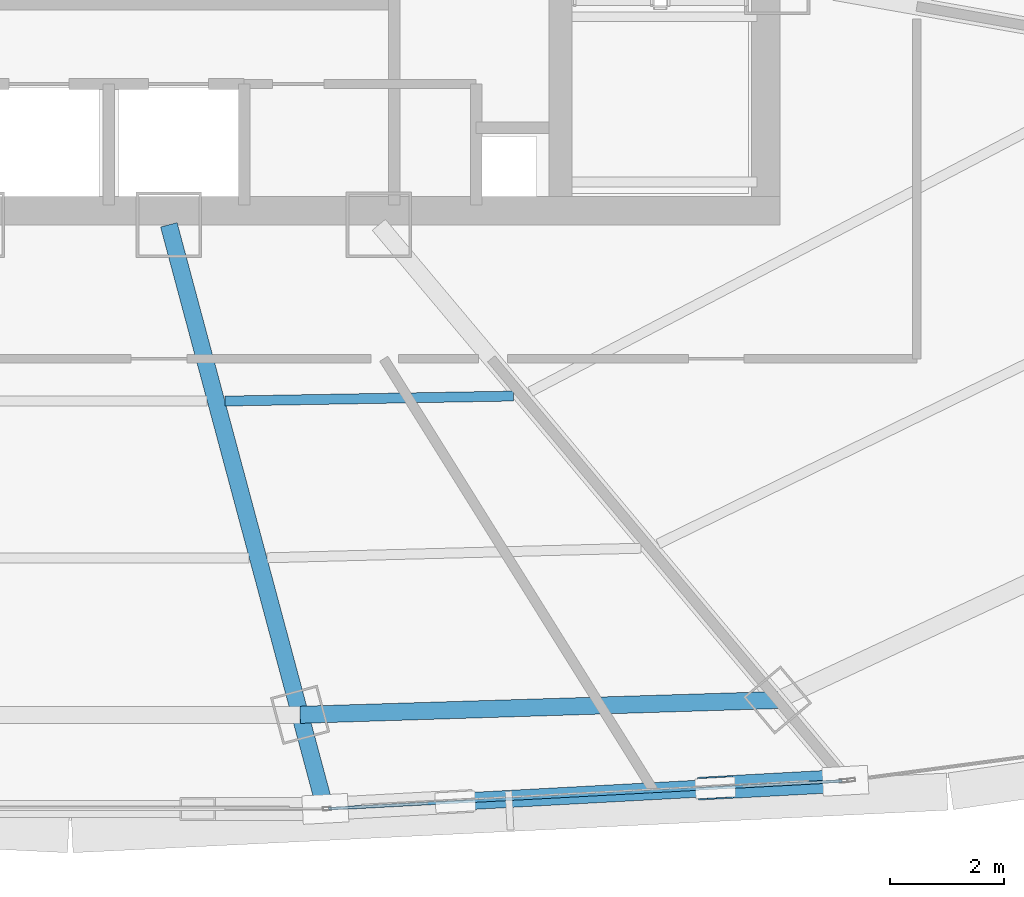
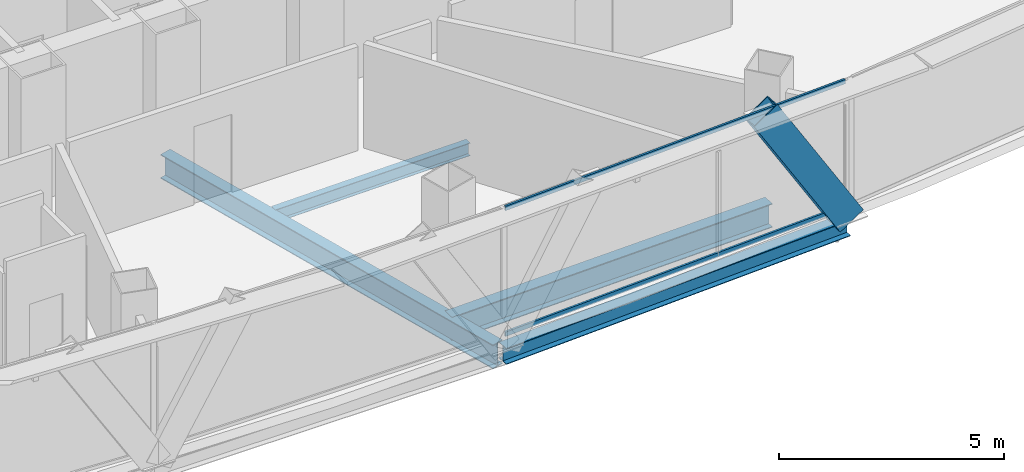
# One storey, part 11 of 37: 4 beams, 3 members, 1 element without a shape of its own.
"""IFC4 building model written with IfcOpenShell, lengths in metres."""

from ifc_helpers import new_model, si_unit, direction, frame, origin, origin_2d, place, context, subcontext, project, spatial, hollow_rectangle, i_section, extrude, source, transform, mapped, material, layer, layer_set, material_profile, profile_set, type_object, element, aggregate, save


model = new_model("IFC4")

# Units and contexts
model_context = context("Model", 3, precision=1e-05, world=origin(), true_north=direction((0.0, 1.0)))
body_context = subcontext(model_context, "Body", "Model", "MODEL_VIEW")
ifc_project = project(units=[si_unit("LENGTHUNIT", "METRE"), si_unit("AREAUNIT", "SQUARE_METRE"), si_unit("VOLUMEUNIT", "CUBIC_METRE"), si_unit("PLANEANGLEUNIT", "RADIAN"), si_unit("MASSUNIT", "GRAM", prefix="KILO"), si_unit("THERMODYNAMICTEMPERATUREUNIT", "KELVIN"), si_unit("POWERUNIT", "WATT")], contexts=[model_context])

# Site, building, storey
site_placement = place(None, origin())
site = spatial("IfcSite", under=ifc_project, at=site_placement, CompositionType="ELEMENT")
building_placement = place(site_placement, origin())
building = spatial("IfcBuilding", under=site, at=building_placement, Name="Yunzhuo Pagoda Commons", CompositionType="ELEMENT")
storey_placement = place(building_placement, frame((0.0, 0.0, 255.719970703125)))
storey = spatial("IfcBuildingStorey", under=building, at=storey_placement, Name="L64", CompositionType="ELEMENT", Elevation=255.719970703125)

# Beams
ifc_material_1 = material(Name="Structural steel Q355B", Category="steel")
ifc_material_profile_1 = material_profile(ifc_material_1, i_section(OverallWidth=0.300048828125, OverallDepth=0.64990234375, WebThickness=0.012939453125, FlangeThickness=0.02197265625, at=origin_2d()), Name="Structural steel Q355B")
ifc_profile_set_1 = profile_set([ifc_material_profile_1], Name="Structural steel Q355B")
beam_type_1 = type_object("IfcBeamType", Name="B-RG2 Beam HN 650x300x13x22", PredefinedType="BEAM", material=ifc_profile_set_1)
shared_shape_1 = source(origin(), body_context, "Body", "SweptSolid", [
    extrude(i_section(OverallWidth=0.300048828125, OverallDepth=0.64990234375, WebThickness=0.012939453125, FlangeThickness=0.02197265625, at=origin_2d()), origin(), (0.0, 0.0, 1.0), 8.37939453125),
])
beam_1_placement = place(storey_placement, frame((52.031494140625, 18.654052734375, -0.5849609375), z_axis=(0.999519382133, 0.031000076447, 0.0), x_axis=(-0.031000076447, 0.999519382133, 0.0)))
element("IfcBeam", 1, at=beam_1_placement, inside=storey, type_object=beam_type_1, Name="L64 column-ring beam 3", PredefinedType="BEAM", context=body_context, shape_type="MappedRepresentation", body=[
    mapped(shared_shape_1, transform((0.0, 0.0, 0.0), scale=1.0)),
])
ifc_material_profile_2 = material_profile(ifc_material_1, i_section(OverallWidth=0.175048828125, OverallDepth=0.35009765625, WebThickness=0.007080078125, FlangeThickness=0.010986328125, at=origin_2d()), Name="Structural steel Q355B")
ifc_profile_set_2 = profile_set([ifc_material_profile_2], Name="Structural steel Q355B")
beam_type_2 = type_object("IfcBeamType", Name="B-JS2 Joist HN 350x175x7x11", PredefinedType="JOIST", material=ifc_profile_set_2)
shared_shape_2 = source(origin(), body_context, "Body", "SweptSolid", [
    extrude(i_section(OverallWidth=0.175048828125, OverallDepth=0.35009765625, WebThickness=0.007080078125, FlangeThickness=0.010986328125, at=origin_2d()), origin(), (0.0, 0.0, 1.0), 5.0556640625),
])
beam_2_placement = place(storey_placement, frame((50.716552734375, 24.158203125, -0.43505859375), z_axis=(0.999848878561, 0.017384477, 0.0), x_axis=(-0.017384477, 0.999848878561, 0.0)))
element("IfcBeam", 2, at=beam_2_placement, inside=storey, type_object=beam_type_2, Name="L64 composite ring joist 1.3", PredefinedType="JOIST", context=body_context, shape_type="MappedRepresentation", body=[
    mapped(shared_shape_2, transform((0.0, 0.0, 0.0), scale=1.0)),
])
shared_shape_3 = source(origin(), body_context, "Body", "SweptSolid", [
    extrude(i_section(OverallWidth=0.300048828125, OverallDepth=0.64990234375, WebThickness=0.012939453125, FlangeThickness=0.02197265625, at=origin_2d()), origin(), (0.0, 0.0, 1.0), 10.4521484375),
])
beam_3_placement = place(storey_placement, frame((52.43359375, 17.154052734375, -0.5849609375), z_axis=(-0.258808083979, 0.965928763247, 0.0), x_axis=(-0.965928763247, -0.258808083979, 0.0)))
element("IfcBeam", 3, at=beam_3_placement, inside=storey, type_object=beam_type_1, Name="L64 radial floor girder F1C3", PredefinedType="BEAM", context=body_context, shape_type="MappedRepresentation", body=[
    mapped(shared_shape_3, transform((0.0, 0.0, 0.0), scale=1.0)),
])
ifc_material_profile_3 = material_profile(ifc_material_1, i_section(OverallWidth=0.300048828125, OverallDepth=0.43994140625, WebThickness=0.010986328125, FlangeThickness=0.01806640625, at=origin_2d()), Name="Structural steel Q355B")
ifc_profile_set_3 = profile_set([ifc_material_profile_3], Name="Structural steel Q355B")
beam_type_3 = type_object("IfcBeamType", Name="B-SP2 Beam HM 440x300x11x18", PredefinedType="BEAM", material=ifc_profile_set_3)
shared_shape_4 = source(origin(), body_context, "Body", "SweptSolid", [
    extrude(i_section(OverallWidth=0.300048828125, OverallDepth=0.43994140625, WebThickness=0.010986328125, FlangeThickness=0.01806640625, at=origin_2d()), origin(), (0.0, 0.0, 1.0), 9.13525390625),
])
beam_4_placement = place(storey_placement, frame((52.4736328125, 17.004638671875, -0.47998046875), z_axis=(0.99854316853, 0.053958693286, 0.0), x_axis=(-0.053958693286, 0.99854316853, 0.0)))
element("IfcBeam", 4, at=beam_4_placement, inside=storey, type_object=beam_type_3, Name="L64 facade edge spandrel beam F1.3", PredefinedType="BEAM", context=body_context, shape_type="MappedRepresentation", body=[
    mapped(shared_shape_4, transform((0.0, 0.0, 0.0), scale=1.0)),
])

# Member
ifc_material_profile_4 = material_profile(ifc_material_1, hollow_rectangle(XDim=0.39990234375, YDim=0.719970703125, WallThickness=0.02392578125, at=origin_2d()), Name="Structural steel Q355B")
ifc_profile_set_4 = profile_set([ifc_material_profile_4], Name="Structural steel Q355B")
member_type_1 = type_object("IfcMemberType", Name="M-DL2 Brace BOX 720x400x24", PredefinedType="BRACE", material=ifc_profile_set_4)
shared_shape_5 = source(origin(), body_context, "Body", "SweptSolid", [
    extrude(hollow_rectangle(XDim=0.39990234375, YDim=0.719970703125, WallThickness=0.02392578125, at=origin_2d()), origin(), (0.0, 0.0, 1.0), 4.37353515625),
])
member_1_placement = place(storey_placement, frame((61.595458984375, 17.49755859375, -0.260009765625), z_axis=(-0.521423404962, -0.028189574939, 0.852832328552), x_axis=(0.053983900233, -0.998541806093, 0.0)))
element("IfcMember", 5, at=member_1_placement, inside=storey, type_object=member_type_1, Name="L64 facade diamond brace F1.3R", PredefinedType="BRACE", context=body_context, shape_type="MappedRepresentation", body=[
    mapped(shared_shape_5, transform((0.0, 0.0, 0.0), scale=1.0)),
])

# Curtain wall, members
ifc_material_2 = material(Name="Anodized aluminium 6063-T6", Category="aluminium")
ifc_layer = layer(ifc_material_2, 0.139892578125)
ifc_layer_set = layer_set([ifc_layer], Name="Anodized aluminium 6063-T6")
curtain_wall_type = type_object("IfcCurtainWallType", Name="CW-HI High-Zone Ribbon Curtain Wall", PredefinedType="NOTDEFINED", material=ifc_layer_set)
curtain_wall_placement = place(storey_placement, origin())
curtain_wall = element("IfcCurtainWall", 6, at=curtain_wall_placement, inside=storey, type_object=curtain_wall_type, Name="L64 curtain wall CW-L64-F1B4", PredefinedType="NOTDEFINED")
ifc_material_profile_5 = material_profile(ifc_material_2, hollow_rectangle(XDim=0.054931640625, YDim=0.1201171875, WallThickness=0.00341796875, at=origin_2d()), Name="Anodized aluminium 6063-T6")
ifc_profile_set_5 = profile_set([ifc_material_profile_5], Name="Anodized aluminium 6063-T6")
member_type_2 = type_object("IfcMemberType", Name="CW-HI-T Transom RHS 120x55x3.5", PredefinedType="USERDEFINED", material=ifc_profile_set_5)
shared_shape_6 = source(origin(), body_context, "Body", "SweptSolid", [
    extrude(hollow_rectangle(XDim=0.054931640625, YDim=0.1201171875, WallThickness=0.00341796875, at=origin_2d()), origin(), (0.0, 0.0, 1.0), 9.015625),
])
member_2_placement = place(storey_placement, frame((52.533447265625, 17.007568359375, 0.027587890625), z_axis=(0.998542549388, 0.053970149724, 0.0), x_axis=(-0.053970149724, 0.998542549388, 0.0)))
member_2 = element("IfcMember", 7, at=member_2_placement, type_object=member_type_2, Name="CW transom 1.1", ObjectType="TRANSOM", PredefinedType="USERDEFINED", context=body_context, shape_type="MappedRepresentation", body=[
    mapped(shared_shape_6, transform((0.0, 0.0, 0.0), scale=1.0)),
])
member_3_placement = place(storey_placement, frame((52.533447265625, 17.007568359375, 3.442626953125), z_axis=(0.998542549388, 0.053970149724, 0.0), x_axis=(-0.053970149724, 0.998542549388, 0.0)))
member_3 = element("IfcMember", 8, at=member_3_placement, type_object=member_type_2, Name="CW transom 1.2", ObjectType="TRANSOM", PredefinedType="USERDEFINED", context=body_context, shape_type="MappedRepresentation", body=[
    mapped(shared_shape_6, transform((0.0, 0.0, 0.0), scale=1.0)),
])
aggregate(curtain_wall, [member_2, member_3])

save(model, "model.ifc")
